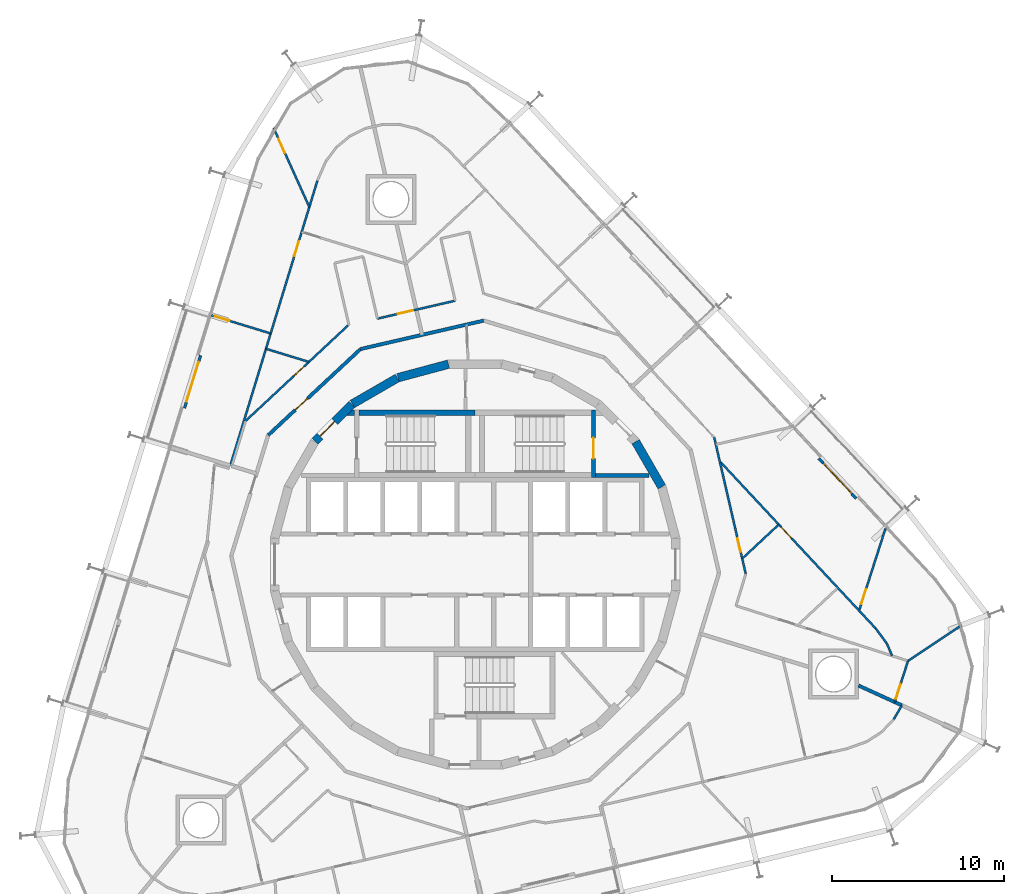
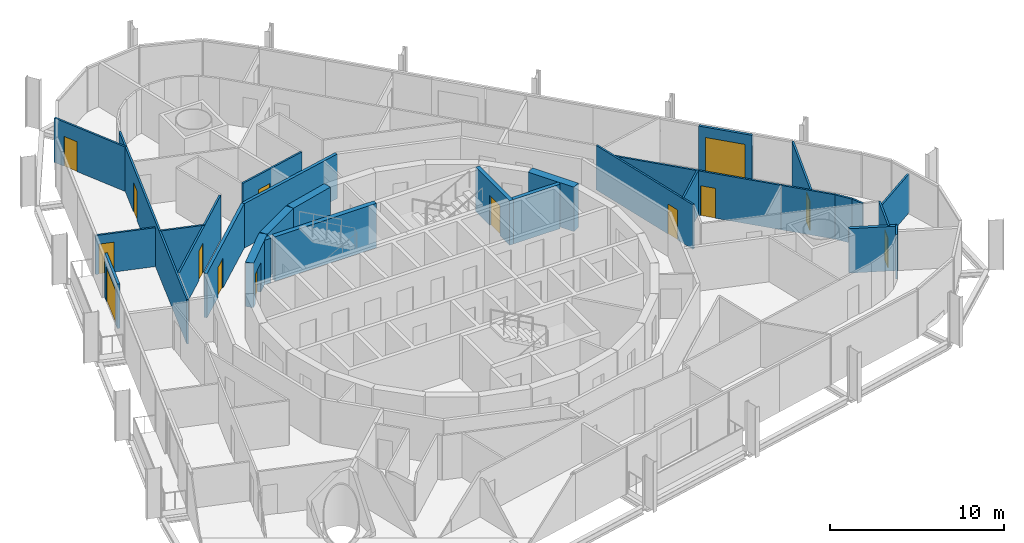
# One storey, part 15 of 18: 29 walls, 14 doors, 14 openings.
"""IFC4 building model written with IfcOpenShell, lengths in metres."""

from ifc_helpers import new_model, si_unit, direction, frame, frame_2d, origin, place, context, subcontext, project, spatial, polyline, rectangle, outline, extrude, material, layer, layer_set, type_object, element, fill, save


model = new_model("IFC4")

# Units and contexts
model_context = context("Model", 3, precision=1e-05, world=origin(), true_north=direction((0.0, 1.0)))
body_context = subcontext(model_context, "Body", "Model", "MODEL_VIEW")
ifc_project = project(units=[si_unit("LENGTHUNIT", "METRE"), si_unit("AREAUNIT", "SQUARE_METRE"), si_unit("VOLUMEUNIT", "CUBIC_METRE"), si_unit("PLANEANGLEUNIT", "RADIAN"), si_unit("MASSUNIT", "GRAM", prefix="KILO")], contexts=[model_context])

# Site, building, storey
site_placement = place(None, origin())
site = spatial("IfcSite", under=ifc_project, at=site_placement, CompositionType="ELEMENT")
building_placement = place(site_placement, origin())
building = spatial("IfcBuilding", under=site, at=building_placement, Name="Spindle Arch Residences", CompositionType="ELEMENT")
storey_placement = place(building_placement, frame((0.0, 0.0, 116.89990234375)))
storey = spatial("IfcBuildingStorey", under=building, at=storey_placement, Name="L28", CompositionType="ELEMENT", Elevation=116.89990234375)

# Walls
ifc_material_1 = material(Name="Concrete C50/60", Category="concrete")
ifc_layer_1 = layer(ifc_material_1, 0.5)
ifc_layer_set_1 = layer_set([ifc_layer_1], Name="Core outline wall 500")
wall_type_1 = type_object("IfcWallType", Name="Core outline wall 500", PredefinedType="SHEAR", material=ifc_layer_set_1)
for number, where, z_axis, x_axis, name in (
    (1, (10.84521484375, 4.510498046875, 0.0), (0.0, 0.0, 1.0), (-0.500087131594, 0.865975092491, 0.0), "Core outline wall 8"),
    (2, (-1.5498046875, 11.642822265625, 0.0), (0.0, 0.0, 1.0), (-0.965948410781, -0.258734743916, 0.0), "Core outline wall 13"),
    (3, (-4.510498046875, 10.84521484375, 0.0), (0.0, 0.0, 1.0), (-0.865975092491, -0.500087131594, 0.0), "Core outline wall 14"),
):
    element("IfcWall", number, at=place(storey_placement, frame(where, z_axis=z_axis, x_axis=x_axis)), inside=storey, type_object=wall_type_1, Name=name, PredefinedType="SHEAR", context=body_context, shape_type="SweptSolid", body=[
        extrude(rectangle(XDim=3.03271484375, YDim=0.5, at=frame_2d((1.516357421875, 0.0))), origin(), (0.0, 0.0, 1.0), 3.1201171875),
    ])

# Wall, opening, door
wall_1_placement = place(storey_placement, frame((-7.163818359375, 9.30810546875, 0.0), z_axis=(0.0, 0.0, 1.0), x_axis=(-0.707106781187, -0.707106781187, 0.0)))
wall_1 = element("IfcWall", 4, at=wall_1_placement, inside=storey, type_object=wall_type_1, Name="Core outline wall 15", PredefinedType="SHEAR", context=body_context, shape_type="SweptSolid", body=[
    extrude(rectangle(XDim=3.032470703125, YDim=0.5, at=frame_2d((1.51611328125, 0.0))), origin(), (0.0, 0.0, 1.0), 3.1201171875),
])
opening_1_placement = place(wall_1_placement, frame((1.416259765625, 0.0, 0.0)))
opening_1 = element("IfcOpeningElement", 5, at=opening_1_placement, cuts=wall_1, Name="Opening R3A1-AD02", PredefinedType="OPENING", context=body_context, shape_type="SweptSolid", body=[
    extrude(rectangle(XDim=1.199951171875, YDim=2.10009765625, at=frame_2d((0.60009765625, 1.050048828125))), frame((0.0, 0.260009765625, 0.0), z_axis=(0.0, -1.0, 0.0), x_axis=(1.0, 0.0, 0.0)), (0.0, 0.0, 1.0), 0.52001953125),
])
ifc_material_2 = material(Name="Steel, fire-resisting door", Category="steel")
door_type_1 = type_object("IfcDoorType", Name="Stair airlock door 1200x2100", OperationType="SINGLE_SWING_LEFT", PredefinedType="DOOR", material=ifc_material_2)
door_1_placement = place(opening_1_placement, origin())
door_1 = element("IfcDoor", 6, at=door_1_placement, inside=storey, type_object=door_type_1, Name="Stair airlock door R3A1-AD02", OperationType="SINGLE_SWING_RIGHT", OverallHeight=2.10009765625, OverallWidth=1.199951171875, PredefinedType="DOOR", context=body_context, shape_type="SweptSolid", body=[
    extrude(rectangle(XDim=1.199951171875, YDim=2.10009765625, at=frame_2d((0.60009765625, 1.050048828125))), frame((0.0, 0.02490234375, 0.0), z_axis=(0.0, -1.0, 0.0), x_axis=(1.0, 0.0, 0.0)), (0.0, 0.0, 1.0), 0.050048828125),
])
fill(opening_1, door_1)

# Wall
ifc_material_3 = material(Name="Calcium silicate block, plastered")
ifc_layer_2 = layer(ifc_material_3, 0.199951171875)
ifc_layer_set_2 = layer_set([ifc_layer_2], Name="Corridor wall 200")
wall_type_2 = type_object("IfcWallType", Name="Corridor wall 200", PredefinedType="STANDARD", material=ifc_layer_set_2)
wall_2_placement = place(storey_placement, frame((0.4951171875, 14.174560546875, 0.0), z_axis=(0.0, 0.0, 1.0), x_axis=(-0.974376622151, -0.224922649383, 0.0)))
element("IfcWall", 7, at=wall_2_placement, inside=storey, type_object=wall_type_2, Name="Corridor wall R3A1-W008", PredefinedType="STANDARD", context=body_context, shape_type="SweptSolid", body=[
    extrude(rectangle(XDim=7.342041015625, YDim=0.199951171875, at=frame_2d((3.6708984375, 0.0))), origin(), (0.0, 0.0, 1.0), 3.1201171875),
])

# Wall, opening, door
wall_3_placement = place(storey_placement, frame((-6.65869140625, 12.523193359375, 0.0), z_axis=(0.0, 0.0, 1.0), x_axis=(-0.731350455479, -0.682001841105, 0.0)))
wall_3 = element("IfcWall", 8, at=wall_3_placement, inside=storey, type_object=wall_type_2, Name="Corridor wall R3A1-W009", PredefinedType="STANDARD", context=body_context, shape_type="SweptSolid", body=[
    extrude(rectangle(XDim=7.341796875, YDim=0.199951171875, at=frame_2d((3.6708984375, 0.0))), origin(), (0.0, 0.0, 1.0), 3.1201171875),
])
opening_2_placement = place(wall_3_placement, frame((4.199951171875, 0.0, 0.0)))
opening_2 = element("IfcOpeningElement", 9, at=opening_2_placement, cuts=wall_3, Name="Opening R3A1-FD03", PredefinedType="OPENING", context=body_context, shape_type="SweptSolid", body=[
    extrude(rectangle(XDim=1.0, YDim=2.10009765625, at=frame_2d((0.5, 1.050048828125))), frame((0.0, 0.10986328125, 0.0), z_axis=(0.0, -1.0, 0.0), x_axis=(1.0, 0.0, 0.0)), (0.0, 0.0, 1.0), 0.219970703125),
])
ifc_material_4 = material(Name="Timber, fire-resisting door set", Category="wood")
door_type_2 = type_object("IfcDoorType", Name="Flat entrance door 1000x2100", OperationType="NOTDEFINED", PredefinedType="DOOR", material=ifc_material_4)
door_2_placement = place(opening_2_placement, origin())
door_2 = element("IfcDoor", 10, at=door_2_placement, inside=storey, type_object=door_type_2, Name="Flat entrance door R3A1-FD03", OperationType="SINGLE_SWING_LEFT", OverallHeight=2.10009765625, OverallWidth=1.0, PredefinedType="DOOR", context=body_context, shape_type="SweptSolid", body=[
    extrude(rectangle(XDim=1.0, YDim=2.10009765625, at=frame_2d((0.5, 1.050048828125))), frame((0.0, 0.02490234375, 0.0), z_axis=(0.0, -1.0, 0.0), x_axis=(1.0, 0.0, 0.0)), (0.0, 0.0, 1.0), 0.050048828125),
])
fill(opening_2, door_2)

ifc_material_5 = material(Name="Plasterboard on steel studs", Category="steel")
ifc_layer_3 = layer(ifc_material_5, 0.1201171875)
ifc_layer_set_3 = layer_set([ifc_layer_3], Name="Flat partition 120")
wall_type_3 = type_object("IfcWallType", Name="Flat partition 120", PredefinedType="PARTITIONING", material=ifc_layer_set_3)
wall_4_placement = place(storey_placement, frame((15.7265625, -0.54931640625, 0.0), z_axis=(0.0, 0.0, 1.0), x_axis=(-0.22493611855, 0.974373512864, 0.0)))
wall_4 = element("IfcWall", 11, at=wall_4_placement, inside=storey, type_object=wall_type_3, Name="Flat partition R3A1-W030", PredefinedType="PARTITIONING", context=body_context, shape_type="SweptSolid", body=[
    extrude(rectangle(XDim=8.145751953125, YDim=0.1201171875, at=frame_2d((4.07275390625, 0.0))), origin(), (0.0, 0.0, 1.0), 3.1201171875),
])
opening_3_placement = place(wall_4_placement, frame((1.313720703125, 0.0, 0.0)))
opening_3 = element("IfcOpeningElement", 12, at=opening_3_placement, cuts=wall_4, Name="Opening R3A1-BD01", PredefinedType="OPENING", context=body_context, shape_type="SweptSolid", body=[
    extrude(rectangle(XDim=0.800048828125, YDim=2.10009765625, at=frame_2d((0.39990234375, 1.050048828125))), frame((0.0, 0.070068359375, 0.0), z_axis=(0.0, -1.0, 0.0), x_axis=(1.0, 0.0, 0.0)), (0.0, 0.0, 1.0), 0.14013671875),
])
ifc_material_6 = material(Name="Timber door set", Category="wood")
door_type_3 = type_object("IfcDoorType", Name="Bathroom door 800x2100", OperationType="NOTDEFINED", PredefinedType="DOOR", material=ifc_material_6)
door_3_placement = place(opening_3_placement, origin())
door_3 = element("IfcDoor", 13, at=door_3_placement, inside=storey, type_object=door_type_3, Name="Bathroom door R3A1-BD01", OperationType="SINGLE_SWING_LEFT", OverallHeight=2.10009765625, OverallWidth=0.800048828125, PredefinedType="DOOR", context=body_context, shape_type="SweptSolid", body=[
    extrude(rectangle(XDim=0.800048828125, YDim=2.10009765625, at=frame_2d((0.39990234375, 1.050048828125))), frame((0.0, 0.02490234375, 0.0), z_axis=(0.0, -1.0, 0.0), x_axis=(1.0, 0.0, 0.0)), (0.0, 0.0, 1.0), 0.050048828125),
])
fill(opening_3, door_3)

wall_5_placement = place(storey_placement, frame((24.388916015625, -7.997314453125, 0.0), z_axis=(0.0, 0.0, 1.0), x_axis=(0.305723184389, 0.952120441188, 0.0)))
wall_5 = element("IfcWall", 14, at=wall_5_placement, inside=storey, type_object=wall_type_3, Name="Flat partition R3A1-W032", PredefinedType="PARTITIONING", context=body_context, shape_type="SweptSolid", body=[
    extrude(rectangle(XDim=2.5146484375, YDim=0.1201171875, at=frame_2d((1.25732421875, 0.0))), origin(), (0.0, 0.0, 1.0), 3.1201171875),
])
opening_4_placement = place(wall_5_placement, frame((0.199951171875, 0.0, 0.0)))
opening_4 = element("IfcOpeningElement", 15, at=opening_4_placement, cuts=wall_5, Name="Opening R3A1-ID02", PredefinedType="OPENING", context=body_context, shape_type="SweptSolid", body=[
    extrude(rectangle(XDim=0.89990234375, YDim=2.10009765625, at=frame_2d((0.449951171875, 1.050048828125))), frame((0.0, 0.070068359375, 0.0), z_axis=(0.0, -1.0, 0.0), x_axis=(1.0, 0.0, 0.0)), (0.0, 0.0, 1.0), 0.14013671875),
])
ifc_material_7 = material(Name="Timber door set", Category="wood")
door_type_4 = type_object("IfcDoorType", Name="Room door 900x2100", OperationType="NOTDEFINED", PredefinedType="DOOR", material=ifc_material_7)
door_4_placement = place(opening_4_placement, origin())
door_4 = element("IfcDoor", 16, at=door_4_placement, inside=storey, type_object=door_type_4, Name="Room door R3A1-ID02", OperationType="SINGLE_SWING_LEFT", OverallHeight=2.10009765625, OverallWidth=0.89990234375, PredefinedType="DOOR", context=body_context, shape_type="SweptSolid", body=[
    extrude(rectangle(XDim=0.89990234375, YDim=2.10009765625, at=frame_2d((0.449951171875, 1.050048828125))), frame((0.0, 0.02490234375, 0.0), z_axis=(0.0, -1.0, 0.0), x_axis=(1.0, 0.0, 0.0)), (0.0, 0.0, 1.0), 0.050048828125),
])
fill(opening_4, door_4)

wall_6_placement = place(storey_placement, frame((14.21337890625, 6.005859375, 0.0), z_axis=(0.0, 0.0, 1.0), x_axis=(0.681982148724, -0.731368818601, 0.0)))
wall_6 = element("IfcWall", 17, at=wall_6_placement, inside=storey, type_object=wall_type_3, Name="Flat partition R3A1-W035", PredefinedType="PARTITIONING", context=body_context, shape_type="SweptSolid", body=[
    extrude(rectangle(XDim=10.06982421875, YDim=0.1201171875, at=frame_2d((5.034912109375, 0.0))), origin(), (0.0, 0.0, 1.0), 3.1201171875),
])
opening_5_placement = place(wall_6_placement, frame((5.235107421875, 0.0, 0.0)))
opening_5 = element("IfcOpeningElement", 18, at=opening_5_placement, cuts=wall_6, Name="Opening R3A1-ID04", PredefinedType="OPENING", context=body_context, shape_type="SweptSolid", body=[
    extrude(rectangle(XDim=0.89990234375, YDim=2.10009765625, at=frame_2d((0.449951171875, 1.050048828125))), frame((0.0, 0.070068359375, 0.0), z_axis=(0.0, -1.0, 0.0), x_axis=(1.0, 0.0, 0.0)), (0.0, 0.0, 1.0), 0.14013671875),
])
door_5_placement = place(opening_5_placement, origin())
door_5 = element("IfcDoor", 19, at=door_5_placement, inside=storey, type_object=door_type_4, Name="Room door R3A1-ID04", OperationType="SINGLE_SWING_LEFT", OverallHeight=2.10009765625, OverallWidth=0.89990234375, PredefinedType="DOOR", context=body_context, shape_type="SweptSolid", body=[
    extrude(rectangle(XDim=0.89990234375, YDim=2.10009765625, at=frame_2d((0.449951171875, 1.050048828125))), frame((0.0, 0.02490234375, 0.0), z_axis=(0.0, -1.0, 0.0), x_axis=(1.0, 0.0, 0.0)), (0.0, 0.0, 1.0), 0.050048828125),
])
fill(opening_5, door_5)

# Wall
wall_7_placement = place(storey_placement, frame((21.080810546875, -1.35888671875, 0.0), z_axis=(0.0, 0.0, 1.0), x_axis=(0.682046729342, -0.731308593545, 0.0)))
element("IfcWall", 20, at=wall_7_placement, inside=storey, type_object=wall_type_3, Name="Flat partition R3A1-W037", PredefinedType="PARTITIONING", context=body_context, shape_type="SweptSolid", body=[
    extrude(rectangle(XDim=3.236328125, YDim=0.1201171875, at=frame_2d((1.6181640625, 0.0))), origin(), (0.0, 0.0, 1.0), 3.1201171875),
])

# Wall, opening, door
wall_8_placement = place(storey_placement, frame((22.314453125, -2.681396484375, 0.0), z_axis=(0.0, 0.0, 1.0), x_axis=(0.305629733216, 0.952150443036, 0.0)))
wall_8 = element("IfcWall", 21, at=wall_8_placement, inside=storey, type_object=wall_type_3, Name="Flat partition R3A1-W038", PredefinedType="PARTITIONING", context=body_context, shape_type="SweptSolid", body=[
    extrude(rectangle(XDim=5.04052734375, YDim=0.1201171875, at=frame_2d((2.520263671875, 0.0))), origin(), (0.0, 0.0, 1.0), 3.1201171875),
])
opening_6_placement = place(wall_8_placement, frame((0.39990234375, 0.0, 0.0)))
opening_6 = element("IfcOpeningElement", 22, at=opening_6_placement, cuts=wall_8, Name="Opening R3A1-ID05", PredefinedType="OPENING", context=body_context, shape_type="SweptSolid", body=[
    extrude(rectangle(XDim=0.89990234375, YDim=2.10009765625, at=frame_2d((0.449951171875, 1.050048828125))), frame((0.0, 0.070068359375, 0.0), z_axis=(0.0, -1.0, 0.0), x_axis=(1.0, 0.0, 0.0)), (0.0, 0.0, 1.0), 0.14013671875),
])
door_6_placement = place(opening_6_placement, origin())
door_6 = element("IfcDoor", 23, at=door_6_placement, inside=storey, type_object=door_type_4, Name="Room door R3A1-ID05", OperationType="SINGLE_SWING_LEFT", OverallHeight=2.10009765625, OverallWidth=0.89990234375, PredefinedType="DOOR", context=body_context, shape_type="SweptSolid", body=[
    extrude(rectangle(XDim=0.89990234375, YDim=2.10009765625, at=frame_2d((0.449951171875, 1.050048828125))), frame((0.0, 0.02490234375, 0.0), z_axis=(0.0, -1.0, 0.0), x_axis=(1.0, 0.0, 0.0)), (0.0, 0.0, 1.0), 0.050048828125),
])
fill(opening_6, door_6)

# Walls
wall_9_placement = place(storey_placement, frame((15.52099609375, 0.341064453125, 0.0), z_axis=(0.0, 0.0, 1.0), x_axis=(0.73140706136, 0.681941134257, 0.0)))
element("IfcWall", 24, at=wall_9_placement, inside=storey, type_object=wall_type_3, Name="Flat partition R3A1-W039", PredefinedType="PARTITIONING", context=body_context, shape_type="SweptSolid", body=[
    extrude(rectangle(XDim=2.906982421875, YDim=0.1201171875, at=frame_2d((1.45361328125, 0.0))), origin(), (0.0, 0.0, 1.0), 3.1201171875),
])
wall_10_placement = place(storey_placement, frame((24.231201171875, -5.3056640625, 0.0), z_axis=(0.0, 0.0, 1.0), x_axis=(-0.390836600732, 0.92046007601, 0.0)))
element("IfcWall", 25, at=wall_10_placement, inside=storey, type_object=wall_type_3, Name="Flat partition R3A1-W041", PredefinedType="PARTITIONING", context=body_context, shape_type="SweptSolid", body=[
    extrude(rectangle(XDim=0.76513671875, YDim=0.1201171875, at=frame_2d((0.382568359375, 0.0))), origin(), (0.0, 0.0, 1.0), 3.1201171875),
])
wall_11_placement = place(storey_placement, frame((23.93212890625, -4.601318359375, 0.0), z_axis=(0.0, 0.0, 1.0), x_axis=(-0.592463335142, 0.805597415904, 0.0)))
element("IfcWall", 26, at=wall_11_placement, inside=storey, type_object=wall_type_3, Name="Flat partition R3A1-W042", PredefinedType="PARTITIONING", context=body_context, shape_type="SweptSolid", body=[
    extrude(rectangle(XDim=1.087158203125, YDim=0.1201171875, at=frame_2d((0.54345703125, 0.0))), origin(), (0.0, 0.0, 1.0), 3.1201171875),
])

# Wall, opening, door
wall_12_placement = place(storey_placement, frame((-1.16064453125, 15.331787109375, 0.0), z_axis=(0.0, 0.0, 1.0), x_axis=(-0.974373440078, -0.224936433845, 0.0)))
wall_12 = element("IfcWall", 27, at=wall_12_placement, inside=storey, type_object=wall_type_3, Name="Flat partition R3A1-W048", PredefinedType="PARTITIONING", context=body_context, shape_type="SweptSolid", body=[
    extrude(rectangle(XDim=4.6357421875, YDim=0.1201171875, at=frame_2d((2.31787109375, 0.0))), origin(), (0.0, 0.0, 1.0), 3.1201171875),
])
opening_7_placement = place(wall_12_placement, frame((2.51806640625, 0.0, 0.0)))
opening_7 = element("IfcOpeningElement", 28, at=opening_7_placement, cuts=wall_12, Name="Opening R3A1-ID12", PredefinedType="OPENING", context=body_context, shape_type="SweptSolid", body=[
    extrude(rectangle(XDim=0.89990234375, YDim=2.10009765625, at=frame_2d((0.449951171875, 1.050048828125))), frame((0.0, 0.070068359375, 0.0), z_axis=(0.0, -1.0, 0.0), x_axis=(1.0, 0.0, 0.0)), (0.0, 0.0, 1.0), 0.14013671875),
])
door_7_placement = place(opening_7_placement, origin())
door_7 = element("IfcDoor", 29, at=door_7_placement, inside=storey, type_object=door_type_4, Name="Room door R3A1-ID12", OperationType="SINGLE_SWING_LEFT", OverallHeight=2.10009765625, OverallWidth=0.89990234375, PredefinedType="DOOR", context=body_context, shape_type="SweptSolid", body=[
    extrude(rectangle(XDim=0.89990234375, YDim=2.10009765625, at=frame_2d((0.449951171875, 1.050048828125))), frame((0.0, 0.02490234375, 0.0), z_axis=(0.0, -1.0, 0.0), x_axis=(1.0, 0.0, 0.0)), (0.0, 0.0, 1.0), 0.050048828125),
])
fill(opening_7, door_7)

wall_13_placement = place(storey_placement, frame((-7.3876953125, 13.894287109375, 0.0), z_axis=(0.0, 0.0, 1.0), x_axis=(-0.731357186721, -0.681994622729, 0.0)))
wall_13 = element("IfcWall", 30, at=wall_13_placement, inside=storey, type_object=wall_type_3, Name="Flat partition R3A1-W062", PredefinedType="PARTITIONING", context=body_context, shape_type="SweptSolid", body=[
    extrude(rectangle(XDim=8.145751953125, YDim=0.1201171875, at=frame_2d((4.07275390625, 0.0))), origin(), (0.0, 0.0, 1.0), 3.1201171875),
])
opening_8_placement = place(wall_13_placement, frame((3.509033203125, 0.0, 0.0)))
opening_8 = element("IfcOpeningElement", 31, at=opening_8_placement, cuts=wall_13, Name="Opening R3A1-BD04", PredefinedType="OPENING", context=body_context, shape_type="SweptSolid", body=[
    extrude(rectangle(XDim=0.800048828125, YDim=2.10009765625, at=frame_2d((0.39990234375, 1.050048828125))), frame((0.0, 0.070068359375, 0.0), z_axis=(0.0, -1.0, 0.0), x_axis=(1.0, 0.0, 0.0)), (0.0, 0.0, 1.0), 0.14013671875),
])
door_8_placement = place(opening_8_placement, origin())
door_8 = element("IfcDoor", 32, at=door_8_placement, inside=storey, type_object=door_type_3, Name="Bathroom door R3A1-BD04", OperationType="SINGLE_SWING_LEFT", OverallHeight=2.10009765625, OverallWidth=0.800048828125, PredefinedType="DOOR", context=body_context, shape_type="SweptSolid", body=[
    extrude(rectangle(XDim=0.800048828125, YDim=2.10009765625, at=frame_2d((0.39990234375, 1.050048828125))), frame((0.0, 0.02490234375, 0.0), z_axis=(0.0, -1.0, 0.0), x_axis=(1.0, 0.0, 0.0)), (0.0, 0.0, 1.0), 0.050048828125),
])
fill(opening_8, door_8)

wall_14_placement = place(storey_placement, frame((-9.1689453125, 22.3095703125, 0.0), z_axis=(0.0, 0.0, 1.0), x_axis=(-0.29236145486, -0.956307889601, 0.0)))
wall_14 = element("IfcWall", 33, at=wall_14_placement, inside=storey, type_object=wall_type_3, Name="Flat partition R3A1-W068", PredefinedType="PARTITIONING", context=body_context, shape_type="SweptSolid", body=[
    extrude(rectangle(XDim=17.31591796875, YDim=0.1201171875, at=frame_2d((8.657958984375, 0.0))), origin(), (0.0, 0.0, 1.0), 3.1201171875),
])
opening_9_placement = place(wall_14_placement, frame((3.68310546875, 0.0, 0.0)))
opening_9 = element("IfcOpeningElement", 34, at=opening_9_placement, cuts=wall_14, Name="Opening R3A1-ID14", PredefinedType="OPENING", context=body_context, shape_type="SweptSolid", body=[
    extrude(rectangle(XDim=0.89990234375, YDim=2.10009765625, at=frame_2d((0.449951171875, 1.050048828125))), frame((0.0, 0.070068359375, 0.0), z_axis=(0.0, -1.0, 0.0), x_axis=(1.0, 0.0, 0.0)), (0.0, 0.0, 1.0), 0.14013671875),
])
door_9_placement = place(opening_9_placement, origin())
door_9 = element("IfcDoor", 35, at=door_9_placement, inside=storey, type_object=door_type_4, Name="Room door R3A1-ID14", OperationType="SINGLE_SWING_LEFT", OverallHeight=2.10009765625, OverallWidth=0.89990234375, PredefinedType="DOOR", context=body_context, shape_type="SweptSolid", body=[
    extrude(rectangle(XDim=0.89990234375, YDim=2.10009765625, at=frame_2d((0.449951171875, 1.050048828125))), frame((0.0, 0.02490234375, 0.0), z_axis=(0.0, -1.0, 0.0), x_axis=(1.0, 0.0, 0.0)), (0.0, 0.0, 1.0), 0.050048828125),
])
fill(opening_9, door_9)

wall_15_placement = place(storey_placement, frame((-11.716796875, 25.380615234375, 0.0), z_axis=(0.0, 0.0, 1.0), x_axis=(0.411493504767, -0.911412692217, 0.0)))
wall_15 = element("IfcWall", 36, at=wall_15_placement, inside=storey, type_object=wall_type_3, Name="Flat partition R3A1-W070", PredefinedType="PARTITIONING", context=body_context, shape_type="SweptSolid", body=[
    extrude(rectangle(XDim=5.052490234375, YDim=0.1201171875, at=frame_2d((2.5263671875, 0.0))), origin(), (0.0, 0.0, 1.0), 3.1201171875),
])
opening_10_placement = place(wall_15_placement, frame((0.699951171875, 0.0, 0.0)))
opening_10 = element("IfcOpeningElement", 37, at=opening_10_placement, cuts=wall_15, Name="Opening R3A1-ID15", PredefinedType="OPENING", context=body_context, shape_type="SweptSolid", body=[
    extrude(rectangle(XDim=0.89990234375, YDim=2.10009765625, at=frame_2d((0.449951171875, 1.050048828125))), frame((0.0, 0.070068359375, 0.0), z_axis=(0.0, -1.0, 0.0), x_axis=(1.0, 0.0, 0.0)), (0.0, 0.0, 1.0), 0.14013671875),
])
door_10_placement = place(opening_10_placement, origin())
door_10 = element("IfcDoor", 38, at=door_10_placement, inside=storey, type_object=door_type_4, Name="Room door R3A1-ID15", OperationType="SINGLE_SWING_LEFT", OverallHeight=2.10009765625, OverallWidth=0.89990234375, PredefinedType="DOOR", context=body_context, shape_type="SweptSolid", body=[
    extrude(rectangle(XDim=0.89990234375, YDim=2.10009765625, at=frame_2d((0.449951171875, 1.050048828125))), frame((0.0, 0.02490234375, 0.0), z_axis=(0.0, -1.0, 0.0), x_axis=(1.0, 0.0, 0.0)), (0.0, 0.0, 1.0), 0.050048828125),
])
fill(opening_10, door_10)

# Walls
wall_16_placement = place(storey_placement, frame((-12.15673828125, 12.53662109375, 0.0), z_axis=(0.0, 0.0, 1.0), x_axis=(0.956293441844, -0.292408708979, 0.0)))
element("IfcWall", 39, at=wall_16_placement, inside=storey, type_object=wall_type_3, Name="Flat partition R3A1-W071", PredefinedType="PARTITIONING", context=body_context, shape_type="SweptSolid", body=[
    extrude(rectangle(XDim=2.609130859375, YDim=0.1201171875, at=frame_2d((1.3046875, 0.0))), origin(), (0.0, 0.0, 1.0), 3.1201171875),
])
wall_17_placement = place(storey_placement, frame((24.8017578125, -8.18603515625, 0.0), z_axis=(0.0, 0.0, 1.0), x_axis=(-0.505043103481, -0.863094122113, 0.0)))
element("IfcWall", 40, at=wall_17_placement, inside=storey, type_object=wall_type_3, Name="Flat partition R3A1-W112", PredefinedType="PARTITIONING", context=body_context, shape_type="SweptSolid", body=[
    extrude(rectangle(XDim=0.945068359375, YDim=0.1201171875, at=frame_2d((0.47265625, 0.0))), origin(), (0.0, 0.0, 1.0), 3.1201171875),
])
ifc_material_8 = material(Name="Plasterboard on steel studs", Category="steel")
ifc_layer_4 = layer(ifc_material_8, 0.1201171875)
ifc_layer_set_4 = layer_set([ifc_layer_4], Name="Flat partition 120 under beam 2730")
wall_type_4 = type_object("IfcWallType", Name="Flat partition 120 under beam 2730", PredefinedType="PARTITIONING", material=ifc_layer_set_4)
wall_18_placement = place(storey_placement, frame((28.25927734375, -3.53466796875, 0.0), z_axis=(0.0, 0.0, 1.0), x_axis=(-0.831969683957, -0.554821092765, 0.0)))
element("IfcWall", 41, at=wall_18_placement, inside=storey, type_object=wall_type_4, Name="Flat partition R3A1-W040", PredefinedType="PARTITIONING", context=body_context, shape_type="SweptSolid", body=[
    extrude(rectangle(XDim=3.72802734375, YDim=0.1201171875, at=frame_2d((1.864013671875, 0.0))), origin(), (0.0, 0.0, 1.0), 2.72998046875),
])

# Wall, opening, door
wall_19_placement = place(storey_placement, frame((-15.32666015625, 14.481201171875, 0.0), z_axis=(0.0, 0.0, 1.0), x_axis=(0.956306810244, -0.292364985388, 0.0)))
wall_19 = element("IfcWall", 42, at=wall_19_placement, inside=storey, type_object=wall_type_4, Name="Flat partition R3A1-W072", PredefinedType="PARTITIONING", context=body_context, shape_type="SweptSolid", body=[
    extrude(rectangle(XDim=3.599853515625, YDim=0.1201171875, at=frame_2d((1.7998046875, 0.0))), origin(), (0.0, 0.0, 1.0), 2.72998046875),
])
opening_11_placement = place(wall_19_placement, frame((0.199951171875, 0.0, 0.0)))
opening_11 = element("IfcOpeningElement", 43, at=opening_11_placement, cuts=wall_19, Name="Opening R3A1-ID16", PredefinedType="OPENING", context=body_context, shape_type="SweptSolid", body=[
    extrude(rectangle(XDim=0.89990234375, YDim=2.10009765625, at=frame_2d((0.449951171875, 1.050048828125))), frame((0.0, 0.070068359375, 0.0), z_axis=(0.0, -1.0, 0.0), x_axis=(1.0, 0.0, 0.0)), (0.0, 0.0, 1.0), 0.14013671875),
])
door_11_placement = place(opening_11_placement, origin())
door_11 = element("IfcDoor", 44, at=door_11_placement, inside=storey, type_object=door_type_4, Name="Room door R3A1-ID16", OperationType="SINGLE_SWING_RIGHT", OverallHeight=2.10009765625, OverallWidth=0.89990234375, PredefinedType="DOOR", context=body_context, shape_type="SweptSolid", body=[
    extrude(rectangle(XDim=0.89990234375, YDim=2.10009765625, at=frame_2d((0.449951171875, 1.050048828125))), frame((0.0, 0.02490234375, 0.0), z_axis=(0.0, -1.0, 0.0), x_axis=(1.0, 0.0, 0.0)), (0.0, 0.0, 1.0), 0.050048828125),
])
fill(opening_11, door_11)

# Wall
ifc_material_9 = material(Name="Calcium silicate block, plastered")
ifc_layer_5 = layer(ifc_material_9, 0.199951171875)
ifc_layer_set_5 = layer_set([ifc_layer_5], Name="Flat party wall 200")
wall_type_5 = type_object("IfcWallType", Name="Flat party wall 200", PredefinedType="STANDARD", material=ifc_layer_set_5)
wall_20_placement = place(storey_placement, frame((22.280029296875, -7.033203125, 0.0), z_axis=(0.0, 0.0, 1.0), x_axis=(0.909468768003, -0.415772245378, 0.0)))
element("IfcWall", 45, at=wall_20_placement, inside=storey, type_object=wall_type_5, Name="Flat party wall R3A1-W018", PredefinedType="STANDARD", context=body_context, shape_type="SweptSolid", body=[
    extrude(rectangle(XDim=2.772705078125, YDim=0.199951171875, at=frame_2d((1.38623046875, 0.0))), origin(), (0.0, 0.0, 1.0), 3.1201171875),
])

# Wall, opening, door
ifc_material_10 = material(Name="Non-combustible mineral wool insulated aluminium faced external wall (K0)", Category="aluminium")
ifc_layer_6 = layer(ifc_material_10, 0.159912109375)
ifc_layer_set_6 = layer_set([ifc_layer_6], Name="Insulated external wall panel 160")
wall_type_6 = type_object("IfcWallType", Name="Insulated external wall panel 160", PredefinedType="STANDARD", material=ifc_layer_set_6)
wall_21_placement = place(storey_placement, frame((22.14990234375, 3.829345703125, 0.0), z_axis=(0.0, 0.0, 1.0), x_axis=(-0.682035508355, 0.731319058512, 0.0)))
wall_21 = element("IfcWall", 46, at=wall_21_placement, inside=storey, type_object=wall_type_6, Name="External wall L28 bay 6", PredefinedType="STANDARD", context=body_context, shape_type="SweptSolid", body=[
    extrude(rectangle(XDim=3.2001953125, YDim=0.159912109375, at=frame_2d((1.60009765625, 0.0))), origin(), (0.0, 0.0, 1.0), 3.1201171875),
])
opening_12_placement = place(wall_21_placement, frame((0.39990234375, 0.0, 0.0)))
opening_12 = element("IfcOpeningElement", 47, at=opening_12_placement, cuts=wall_21, Name="Opening BD06", PredefinedType="OPENING", context=body_context, shape_type="SweptSolid", body=[
    extrude(rectangle(XDim=2.39990234375, YDim=2.39990234375, at=frame_2d((1.199951171875, 1.199951171875))), frame((0.0, 0.08984375, 0.0), z_axis=(0.0, -1.0, 0.0), x_axis=(1.0, 0.0, 0.0)), (0.0, 0.0, 1.0), 0.179931640625),
])
ifc_material_11 = material(Name="Bronze aluminium frame, tinted double glazing", Category="aluminium")
door_type_5 = type_object("IfcDoorType", Name="Sliding glazed balcony door 2400x2400", OperationType="DOUBLE_DOOR_SLIDING", PredefinedType="DOOR", material=ifc_material_11)
door_12_placement = place(opening_12_placement, origin())
door_12 = element("IfcDoor", 48, at=door_12_placement, inside=storey, type_object=door_type_5, Name="Balcony door BD06", OperationType="DOUBLE_DOOR_SLIDING", OverallHeight=2.39990234375, OverallWidth=2.39990234375, PredefinedType="DOOR", context=body_context, shape_type="SweptSolid", body=[
    extrude(rectangle(XDim=2.39990234375, YDim=2.39990234375, at=frame_2d((1.199951171875, 1.199951171875))), frame((0.0, 0.02490234375, 0.0), z_axis=(0.0, -1.0, 0.0), x_axis=(1.0, 0.0, 0.0)), (0.0, 0.0, 1.0), 0.050048828125),
])
fill(opening_12, door_12)

wall_22_placement = place(storey_placement, frame((-15.9560546875, 12.148681640625, 0.0), z_axis=(0.0, 0.0, 1.0), x_axis=(-0.29243949851, -0.956284026695, 0.0)))
wall_22 = element("IfcWall", 49, at=wall_22_placement, inside=storey, type_object=wall_type_6, Name="External wall L28 bay 14", PredefinedType="STANDARD", context=body_context, shape_type="SweptSolid", body=[
    extrude(rectangle(XDim=3.199951171875, YDim=0.159912109375, at=frame_2d((1.60009765625, 0.0))), origin(), (0.0, 0.0, 1.0), 3.1201171875),
])
opening_13_placement = place(wall_22_placement, frame((0.39990234375, 0.0, 0.0)))
opening_13 = element("IfcOpeningElement", 50, at=opening_13_placement, cuts=wall_22, Name="Opening BD14", PredefinedType="OPENING", context=body_context, shape_type="SweptSolid", body=[
    extrude(rectangle(XDim=2.39990234375, YDim=2.39990234375, at=frame_2d((1.199951171875, 1.199951171875))), frame((0.0, 0.08984375, 0.0), z_axis=(0.0, -1.0, 0.0), x_axis=(1.0, 0.0, 0.0)), (0.0, 0.0, 1.0), 0.179931640625),
])
door_13_placement = place(opening_13_placement, origin())
door_13 = element("IfcDoor", 51, at=door_13_placement, inside=storey, type_object=door_type_5, Name="Balcony door BD14", OperationType="DOUBLE_DOOR_SLIDING", OverallHeight=2.39990234375, OverallWidth=2.39990234375, PredefinedType="DOOR", context=body_context, shape_type="SweptSolid", body=[
    extrude(rectangle(XDim=2.39990234375, YDim=2.39990234375, at=frame_2d((1.199951171875, 1.199951171875))), frame((0.0, 0.02490234375, 0.0), z_axis=(0.0, -1.0, 0.0), x_axis=(1.0, 0.0, 0.0)), (0.0, 0.0, 1.0), 0.050048828125),
])
fill(opening_13, door_13)

# Walls
ifc_material_12 = material(Name="Concrete C40/50", Category="concrete")
ifc_layer_7 = layer(ifc_material_12, 0.25)
ifc_layer_set_7 = layer_set([ifc_layer_7], Name="Stair airlock wall 250")
wall_type_7 = type_object("IfcWallType", Name="Stair airlock wall 250", PredefinedType="SHEAR", material=ifc_layer_set_7)
wall_23_placement = place(storey_placement, frame((7.0, 5.175048828125, 0.0), z_axis=(0.0, 0.0, 1.0), x_axis=(1.0, 0.0, 0.0)))
element("IfcWall", 52, at=wall_23_placement, inside=storey, type_object=wall_type_7, Name="Stair ST-1 airlock wall S", PredefinedType="SHEAR", context=body_context, shape_type="SweptSolid", body=[
    extrude(rectangle(XDim=3.10009765625, YDim=0.25, at=frame_2d((1.550048828125, 0.0))), origin(), (0.0, 0.0, 1.0), 3.1201171875),
])
ifc_material_13 = material(Name="Concrete C40/50", Category="concrete")
wall_type_8 = type_object("IfcWallType", Name="Stair airlock wall profile", PredefinedType="SHEAR", material=ifc_material_13)
wall_24_placement = place(storey_placement, origin())
element("IfcWall", 53, at=wall_24_placement, inside=storey, type_object=wall_type_8, Name="Stair ST-2 airlock wall N", PredefinedType="SHEAR", context=body_context, shape_type="SweptSolid", body=[
    extrude(outline(polyline([(-7.148193359375, 8.969970703125), (-7.0, 8.969970703125), (-7.0, 8.669921875), (-7.4482421875, 8.669921875), (-7.148193359375, 8.969970703125)])), origin(), (0.0, 0.0, 1.0), 3.1201171875),
])

# Wall, opening, door
ifc_material_14 = material(Name="Concrete C50/60", Category="concrete")
ifc_layer_8 = layer(ifc_material_14, 0.25)
ifc_layer_set_8 = layer_set([ifc_layer_8], Name="Stair enclosure wall 250")
wall_type_9 = type_object("IfcWallType", Name="Stair enclosure wall 250", PredefinedType="SHEAR", material=ifc_layer_set_8)
wall_25_placement = place(storey_placement, frame((6.875, 5.050048828125, 0.0), z_axis=(0.0, 0.0, 1.0), x_axis=(0.0, 1.0, 0.0)))
wall_25 = element("IfcWall", 54, at=wall_25_placement, inside=storey, type_object=wall_type_9, Name="Stair ST-1 door wall", PredefinedType="SHEAR", context=body_context, shape_type="SweptSolid", body=[
    extrude(rectangle(XDim=3.919921875, YDim=0.25, at=frame_2d((1.9599609375, 0.0))), origin(), (0.0, 0.0, 1.0), 3.1201171875),
])
opening_14_placement = place(wall_25_placement, frame((1.110107421875, 0.0, 0.0)))
opening_14 = element("IfcOpeningElement", 55, at=opening_14_placement, cuts=wall_25, Name="Opening R3A1-SD01", PredefinedType="OPENING", context=body_context, shape_type="SweptSolid", body=[
    extrude(rectangle(XDim=1.199951171875, YDim=2.10009765625, at=frame_2d((0.60009765625, 1.050048828125))), frame((0.0, 0.135009765625, 0.0), z_axis=(0.0, -1.0, 0.0), x_axis=(1.0, 0.0, 0.0)), (0.0, 0.0, 1.0), 0.27001953125),
])
ifc_material_15 = material(Name="Steel, fire-resisting door", Category="steel")
door_type_6 = type_object("IfcDoorType", Name="Stair door 1200x2100", OperationType="SINGLE_SWING_RIGHT", PredefinedType="DOOR", material=ifc_material_15)
door_14_placement = place(opening_14_placement, origin())
door_14 = element("IfcDoor", 56, at=door_14_placement, inside=storey, type_object=door_type_6, Name="Stair door R3A1-SD01", OperationType="SINGLE_SWING_LEFT", OverallHeight=2.10009765625, OverallWidth=1.199951171875, PredefinedType="DOOR", context=body_context, shape_type="SweptSolid", body=[
    extrude(rectangle(XDim=1.199951171875, YDim=2.10009765625, at=frame_2d((0.60009765625, 1.050048828125))), frame((0.0, 0.02490234375, 0.0), z_axis=(0.0, -1.0, 0.0), x_axis=(1.0, 0.0, 0.0)), (0.0, 0.0, 1.0), 0.050048828125),
])
fill(opening_14, door_14)

# Wall
ifc_material_16 = material(Name="Concrete C50/60", Category="concrete")
ifc_layer_9 = layer(ifc_material_16, 0.300048828125)
ifc_layer_set_9 = layer_set([ifc_layer_9], Name="Stair enclosure wall 300")
wall_type_10 = type_object("IfcWallType", Name="Stair enclosure wall 300", PredefinedType="SHEAR", material=ifc_layer_set_9)
wall_26_placement = place(storey_placement, frame((-6.75, 8.820068359375, 0.0), z_axis=(0.0, 0.0, 1.0), x_axis=(1.0, 0.0, 0.0)))
element("IfcWall", 57, at=wall_26_placement, inside=storey, type_object=wall_type_10, Name="Stair ST-2 enclosure wall N", PredefinedType="SHEAR", context=body_context, shape_type="SweptSolid", body=[
    extrude(rectangle(XDim=6.75, YDim=0.300048828125, at=frame_2d((3.375, 0.0))), origin(), (0.0, 0.0, 1.0), 3.1201171875),
])

save(model, "model.ifc")
